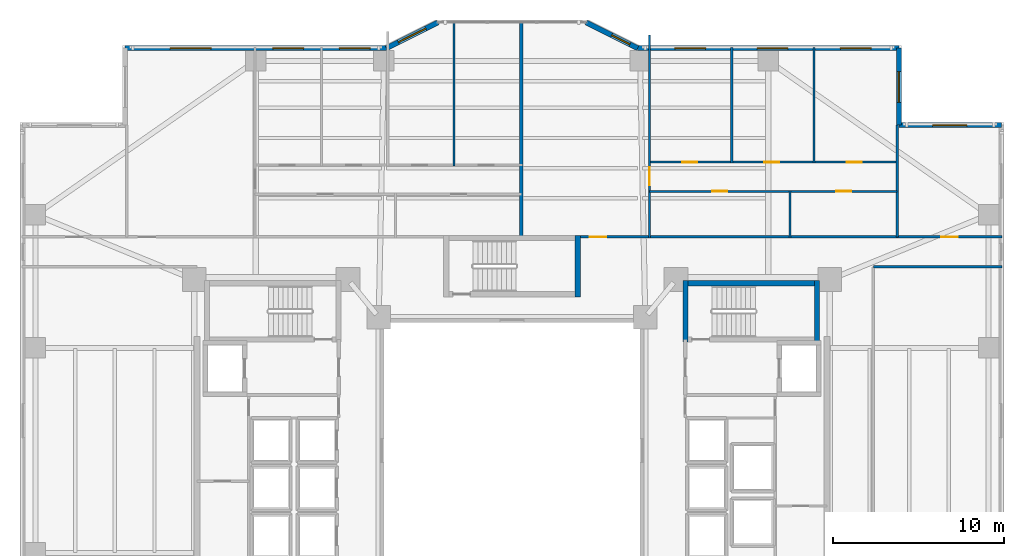
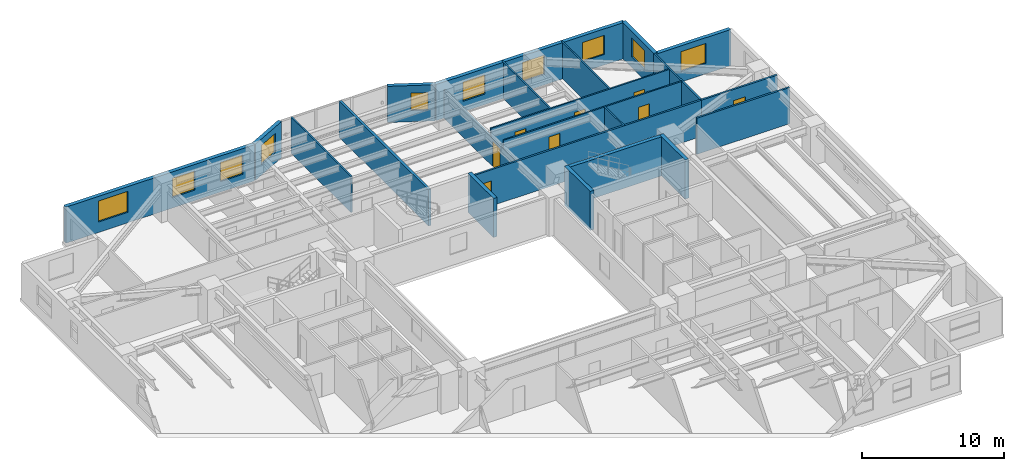
# One storey, part 14 of 20: 23 walls, 10 windows, 8 doors, 18 openings.
"""IFC4 building model written with IfcOpenShell, lengths in metres."""

from ifc_helpers import new_model, si_unit, direction, frame, frame_2d, origin, place, context, subcontext, project, spatial, rectangle, extrude, material, layer, layer_set, type_object, element, fill, save


model = new_model("IFC4")

# Units and contexts
model_context = context("Model", 3, precision=1e-05, world=origin(), true_north=direction((0.0, 1.0)))
body_context = subcontext(model_context, "Body", "Model", "MODEL_VIEW")
ifc_project = project(units=[si_unit("LENGTHUNIT", "METRE"), si_unit("AREAUNIT", "SQUARE_METRE"), si_unit("VOLUMEUNIT", "CUBIC_METRE"), si_unit("PLANEANGLEUNIT", "RADIAN"), si_unit("MASSUNIT", "GRAM", prefix="KILO")], contexts=[model_context])

# Site, building, storey
site_placement = place(None, origin())
site = spatial("IfcSite", under=ifc_project, at=site_placement, CompositionType="ELEMENT")
building_placement = place(site_placement, origin())
building = spatial("IfcBuilding", under=site, at=building_placement, Name="Tarnavaz Court Tower", CompositionType="ELEMENT")
storey_placement = place(building_placement, frame((0.0, 0.0, 34.050048828125)))
storey = spatial("IfcBuildingStorey", under=building, at=storey_placement, Name="L08", CompositionType="ELEMENT", Elevation=34.050048828125)

# Walls
ifc_material_1 = material(Name="Concrete C60/75", Category="concrete")
ifc_layer_1 = layer(ifc_material_1, 0.300048828125)
ifc_layer_set_1 = layer_set([ifc_layer_1], Name="Concrete C60/75")
wall_type_1 = type_object("IfcWallType", Name="WL-CORE-300-C60", PredefinedType="SHEAR", material=ifc_layer_set_1)
wall_1_placement = place(storey_placement, frame((10.0, 9.7900390625, 0.0), z_axis=(0.0, 0.0, 1.0), x_axis=(1.0, 0.0, 0.0)))
element("IfcWall", 1, at=wall_1_placement, inside=storey, type_object=wall_type_1, Name="L08 East Stair Core Wall 005", PredefinedType="SHEAR", context=body_context, shape_type="SweptSolid", body=[
    extrude(rectangle(XDim=8.0, YDim=0.300048828125, at=frame_2d((4.0, 0.0))), origin(), (0.0, 0.0, 1.0), 3.349853515625),
])
for number, where, z_axis, x_axis, name in (
    (2, (10.14990234375, 6.35009765625, 0.0), (0.0, 0.0, 1.0), (0.0, 1.0, 0.0), "L08 East Stair Core Wall 007"),
    (3, (17.85009765625, 6.35009765625, 0.0), (0.0, 0.0, 1.0), (0.0, 1.0, 0.0), "L08 East Stair Core Wall 008"),
):
    element("IfcWall", number, at=place(storey_placement, frame(where, z_axis=z_axis, x_axis=x_axis)), inside=storey, type_object=wall_type_1, Name=name, PredefinedType="SHEAR", context=body_context, shape_type="SweptSolid", body=[
        extrude(rectangle(XDim=3.58984375, YDim=0.300048828125, at=frame_2d((1.794921875, 0.0))), origin(), (0.0, 0.0, 1.0), 3.349853515625),
    ])
wall_2_placement = place(storey_placement, frame((3.85009765625, 9.0, 0.0), z_axis=(0.0, 0.0, 1.0), x_axis=(0.0, 1.0, 0.0)))
element("IfcWall", 4, at=wall_2_placement, inside=storey, type_object=wall_type_1, Name="L08 North Stair Core Wall 012", PredefinedType="SHEAR", context=body_context, shape_type="SweptSolid", body=[
    extrude(rectangle(XDim=3.590087890625, YDim=0.300048828125, at=frame_2d((1.794921875, 0.0))), origin(), (0.0, 0.0, 1.0), 3.349853515625),
])

# Wall, openings, windows
ifc_material_2 = material(Name="Precast Concrete C40/50", Category="concrete")
ifc_layer_2 = layer(ifc_material_2, 0.300048828125)
ifc_layer_set_2 = layer_set([ifc_layer_2], Name="Precast Concrete C40/50")
wall_type_2 = type_object("IfcWallType", Name="WL-EXT-300", PredefinedType="SOLIDWALL", material=ifc_layer_set_2)
wall_3_placement = place(storey_placement, frame((-22.64990234375, 23.550048828125, 0.0), z_axis=(0.0, 0.0, 1.0), x_axis=(1.0, 0.0, 0.0)))
wall_3 = element("IfcWall", 5, at=wall_3_placement, inside=storey, type_object=wall_type_2, Name="L08 Exterior Terracotta Facade Wall 05", PredefinedType="SOLIDWALL", context=body_context, shape_type="SweptSolid", body=[
    extrude(rectangle(XDim=15.2998046875, YDim=0.300048828125, at=frame_2d((7.64990234375, 0.0))), origin(), (0.0, 0.0, 1.0), 3.099853515625),
])
opening_1_placement = place(wall_3_placement, frame((2.637451171875, 0.0, 0.89990234375)))
opening_1 = element("IfcOpeningElement", 6, at=opening_1_placement, cuts=wall_3, Name="Opening W06", PredefinedType="OPENING", context=body_context, shape_type="SweptSolid", body=[
    extrude(rectangle(XDim=2.39990234375, YDim=1.800048828125, at=frame_2d((1.199951171875, 0.89990234375))), frame((0.0, 0.159912109375, 0.0), z_axis=(0.0, -1.0, 0.0), x_axis=(1.0, 0.0, 0.0)), (0.0, 0.0, 1.0), 0.320068359375),
])
opening_2_placement = place(wall_3_placement, frame((8.65625, 0.0, 0.89990234375)))
opening_2 = element("IfcOpeningElement", 7, at=opening_2_placement, cuts=wall_3, Name="Opening W01", PredefinedType="OPENING", context=body_context, shape_type="SweptSolid", body=[
    extrude(rectangle(XDim=1.800048828125, YDim=1.64990234375, at=frame_2d((0.89990234375, 0.824951171875))), frame((0.0, 0.159912109375, 0.0), z_axis=(0.0, -1.0, 0.0), x_axis=(1.0, 0.0, 0.0)), (0.0, 0.0, 1.0), 0.320068359375),
])
opening_3_placement = place(wall_3_placement, frame((12.5439453125, 0.0, 0.89990234375)))
opening_3 = element("IfcOpeningElement", 8, at=opening_3_placement, cuts=wall_3, Name="Opening W01", PredefinedType="OPENING", context=body_context, shape_type="SweptSolid", body=[
    extrude(rectangle(XDim=1.800048828125, YDim=1.64990234375, at=frame_2d((0.89990234375, 0.824951171875))), frame((0.0, 0.159912109375, 0.0), z_axis=(0.0, -1.0, 0.0), x_axis=(1.0, 0.0, 0.0)), (0.0, 0.0, 1.0), 0.320068359375),
])
ifc_material_3 = material(Name="Double-Glazed Solar Low-E Glass", Category="glass")
window_type_1 = type_object("IfcWindowType", Name="WN-APT-1800", PartitioningType="DOUBLE_PANEL_VERTICAL", PredefinedType="WINDOW", material=ifc_material_3)
window_1_placement = place(opening_2_placement, origin())
window_1 = element("IfcWindow", 9, at=window_1_placement, inside=storey, type_object=window_type_1, Name="L08 Flat 01 Principal Bedroom Window", OverallHeight=1.64990234375, OverallWidth=1.800048828125, PartitioningType="SINGLE_PANEL", PredefinedType="WINDOW", context=body_context, shape_type="SweptSolid", body=[
    extrude(rectangle(XDim=1.800048828125, YDim=1.64990234375, at=frame_2d((0.89990234375, 0.824951171875))), frame((0.0, 0.030029296875, 0.0), z_axis=(0.0, -1.0, 0.0), x_axis=(1.0, 0.0, 0.0)), (0.0, 0.0, 1.0), 0.06005859375),
])
fill(opening_2, window_1)
window_2_placement = place(opening_3_placement, origin())
window_2 = element("IfcWindow", 10, at=window_2_placement, inside=storey, type_object=window_type_1, Name="L08 Flat 01 Bedroom 2 Window", OverallHeight=1.64990234375, OverallWidth=1.800048828125, PartitioningType="SINGLE_PANEL", PredefinedType="WINDOW", context=body_context, shape_type="SweptSolid", body=[
    extrude(rectangle(XDim=1.800048828125, YDim=1.64990234375, at=frame_2d((0.89990234375, 0.824951171875))), frame((0.0, 0.030029296875, 0.0), z_axis=(0.0, -1.0, 0.0), x_axis=(1.0, 0.0, 0.0)), (0.0, 0.0, 1.0), 0.06005859375),
])
fill(opening_3, window_2)
window_type_2 = type_object("IfcWindowType", Name="WN-APT-2400", PartitioningType="TRIPLE_PANEL_VERTICAL", PredefinedType="WINDOW", material=ifc_material_3)
window_3_placement = place(opening_1_placement, origin())
window_3 = element("IfcWindow", 11, at=window_3_placement, inside=storey, type_object=window_type_2, Name="L08 Flat 01 Living and Dining Room Window", OverallHeight=1.800048828125, OverallWidth=2.39990234375, PartitioningType="SINGLE_PANEL", PredefinedType="WINDOW", context=body_context, shape_type="SweptSolid", body=[
    extrude(rectangle(XDim=2.39990234375, YDim=1.800048828125, at=frame_2d((1.199951171875, 0.89990234375))), frame((0.0, 0.030029296875, 0.0), z_axis=(0.0, -1.0, 0.0), x_axis=(1.0, 0.0, 0.0)), (0.0, 0.0, 1.0), 0.06005859375),
])
fill(opening_1, window_3)

# Wall, opening, window
wall_4_placement = place(storey_placement, frame((-7.35009765625, 23.550048828125, 0.0), z_axis=(0.0, 0.0, 1.0), x_axis=(0.894427191, 0.4472135955, 0.0)))
wall_4 = element("IfcWall", 12, at=wall_4_placement, inside=storey, type_object=wall_type_2, Name="L08 Exterior Terracotta Facade Wall 06", PredefinedType="SOLIDWALL", context=body_context, shape_type="SweptSolid", body=[
    extrude(rectangle(XDim=3.35400390625, YDim=0.300048828125, at=frame_2d((1.677001953125, 0.0))), origin(), (0.0, 0.0, 1.0), 3.099853515625),
])
opening_4_placement = place(wall_4_placement, frame((0.777099609375, 0.0, 0.89990234375)))
opening_4 = element("IfcOpeningElement", 13, at=opening_4_placement, cuts=wall_4, Name="Opening W01", PredefinedType="OPENING", context=body_context, shape_type="SweptSolid", body=[
    extrude(rectangle(XDim=1.800048828125, YDim=1.64990234375, at=frame_2d((0.89990234375, 0.824951171875))), frame((0.0, 0.159912109375, 0.0), z_axis=(0.0, -1.0, 0.0), x_axis=(1.0, 0.0, 0.0)), (0.0, 0.0, 1.0), 0.320068359375),
])
window_4_placement = place(opening_4_placement, origin())
window_4 = element("IfcWindow", 14, at=window_4_placement, inside=storey, type_object=window_type_1, Name="L08 Flat 01 Bedroom 3 Window", OverallHeight=1.64990234375, OverallWidth=1.800048828125, PartitioningType="SINGLE_PANEL", PredefinedType="WINDOW", context=body_context, shape_type="SweptSolid", body=[
    extrude(rectangle(XDim=1.800048828125, YDim=1.64990234375, at=frame_2d((0.89990234375, 0.824951171875))), frame((0.0, 0.030029296875, 0.0), z_axis=(0.0, -1.0, 0.0), x_axis=(1.0, 0.0, 0.0)), (0.0, 0.0, 1.0), 0.06005859375),
])
fill(opening_4, window_4)

wall_5_placement = place(storey_placement, frame((4.35009765625, 25.050048828125, 0.0), z_axis=(0.0, 0.0, 1.0), x_axis=(0.894427191, -0.4472135955, 0.0)))
wall_5 = element("IfcWall", 15, at=wall_5_placement, inside=storey, type_object=wall_type_2, Name="L08 Exterior Terracotta Facade Wall 08", PredefinedType="SOLIDWALL", context=body_context, shape_type="SweptSolid", body=[
    extrude(rectangle(XDim=3.35400390625, YDim=0.300048828125, at=frame_2d((1.677001953125, 0.0))), origin(), (0.0, 0.0, 1.0), 3.099853515625),
])
opening_5_placement = place(wall_5_placement, frame((1.65283203125, 0.0, 0.949951171875)))
opening_5 = element("IfcOpeningElement", 16, at=opening_5_placement, cuts=wall_5, Name="Opening W05", PredefinedType="OPENING", context=body_context, shape_type="SweptSolid", body=[
    extrude(rectangle(XDim=1.199951171875, YDim=1.5, at=frame_2d((0.60009765625, 0.75))), frame((0.0, 0.159912109375, 0.0), z_axis=(0.0, -1.0, 0.0), x_axis=(1.0, 0.0, 0.0)), (0.0, 0.0, 1.0), 0.320068359375),
])
window_type_3 = type_object("IfcWindowType", Name="WN-APT-1200", PartitioningType="SINGLE_PANEL", PredefinedType="WINDOW", material=ifc_material_3)
window_5_placement = place(opening_5_placement, origin())
window_5 = element("IfcWindow", 17, at=window_5_placement, inside=storey, type_object=window_type_3, Name="L08 Flat 02 Living and Dining Room Window", OverallHeight=1.5, OverallWidth=1.199951171875, PartitioningType="SINGLE_PANEL", PredefinedType="WINDOW", context=body_context, shape_type="SweptSolid", body=[
    extrude(rectangle(XDim=1.199951171875, YDim=1.5, at=frame_2d((0.60009765625, 0.75))), frame((0.0, 0.030029296875, 0.0), z_axis=(0.0, -1.0, 0.0), x_axis=(1.0, 0.0, 0.0)), (0.0, 0.0, 1.0), 0.06005859375),
])
fill(opening_5, window_5)

# Wall, openings, windows
wall_6_placement = place(storey_placement, frame((7.35009765625, 23.550048828125, 0.0), z_axis=(0.0, 0.0, 1.0), x_axis=(1.0, 0.0, 0.0)))
wall_6 = element("IfcWall", 18, at=wall_6_placement, inside=storey, type_object=wall_type_2, Name="L08 Exterior Terracotta Facade Wall 09", PredefinedType="SOLIDWALL", context=body_context, shape_type="SweptSolid", body=[
    extrude(rectangle(XDim=15.2998046875, YDim=0.300048828125, at=frame_2d((7.64990234375, 0.0))), origin(), (0.0, 0.0, 1.0), 3.099853515625),
])
opening_6_placement = place(wall_6_placement, frame((2.18505859375, 0.0, 0.89990234375)))
opening_6 = element("IfcOpeningElement", 19, at=opening_6_placement, cuts=wall_6, Name="Opening W01", PredefinedType="OPENING", context=body_context, shape_type="SweptSolid", body=[
    extrude(rectangle(XDim=1.800048828125, YDim=1.64990234375, at=frame_2d((0.89990234375, 0.824951171875))), frame((0.0, 0.159912109375, 0.0), z_axis=(0.0, -1.0, 0.0), x_axis=(1.0, 0.0, 0.0)), (0.0, 0.0, 1.0), 0.320068359375),
])
opening_7_placement = place(wall_6_placement, frame((7.000732421875, 0.0, 0.89990234375)))
opening_7 = element("IfcOpeningElement", 20, at=opening_7_placement, cuts=wall_6, Name="Opening W01", PredefinedType="OPENING", context=body_context, shape_type="SweptSolid", body=[
    extrude(rectangle(XDim=1.800048828125, YDim=1.64990234375, at=frame_2d((0.89990234375, 0.824951171875))), frame((0.0, 0.159912109375, 0.0), z_axis=(0.0, -1.0, 0.0), x_axis=(1.0, 0.0, 0.0)), (0.0, 0.0, 1.0), 0.320068359375),
])
opening_8_placement = place(wall_6_placement, frame((11.86669921875, 0.0, 0.89990234375)))
opening_8 = element("IfcOpeningElement", 21, at=opening_8_placement, cuts=wall_6, Name="Opening W01", PredefinedType="OPENING", context=body_context, shape_type="SweptSolid", body=[
    extrude(rectangle(XDim=1.800048828125, YDim=1.64990234375, at=frame_2d((0.89990234375, 0.824951171875))), frame((0.0, 0.159912109375, 0.0), z_axis=(0.0, -1.0, 0.0), x_axis=(1.0, 0.0, 0.0)), (0.0, 0.0, 1.0), 0.320068359375),
])
window_6_placement = place(opening_6_placement, origin())
window_6 = element("IfcWindow", 22, at=window_6_placement, inside=storey, type_object=window_type_1, Name="L08 Flat 02 Principal Bedroom Window", OverallHeight=1.64990234375, OverallWidth=1.800048828125, PartitioningType="SINGLE_PANEL", PredefinedType="WINDOW", context=body_context, shape_type="SweptSolid", body=[
    extrude(rectangle(XDim=1.800048828125, YDim=1.64990234375, at=frame_2d((0.89990234375, 0.824951171875))), frame((0.0, 0.030029296875, 0.0), z_axis=(0.0, -1.0, 0.0), x_axis=(1.0, 0.0, 0.0)), (0.0, 0.0, 1.0), 0.06005859375),
])
fill(opening_6, window_6)
window_7_placement = place(opening_7_placement, origin())
window_7 = element("IfcWindow", 23, at=window_7_placement, inside=storey, type_object=window_type_1, Name="L08 Flat 02 Bedroom 2 Window", OverallHeight=1.64990234375, OverallWidth=1.800048828125, PartitioningType="SINGLE_PANEL", PredefinedType="WINDOW", context=body_context, shape_type="SweptSolid", body=[
    extrude(rectangle(XDim=1.800048828125, YDim=1.64990234375, at=frame_2d((0.89990234375, 0.824951171875))), frame((0.0, 0.030029296875, 0.0), z_axis=(0.0, -1.0, 0.0), x_axis=(1.0, 0.0, 0.0)), (0.0, 0.0, 1.0), 0.06005859375),
])
fill(opening_7, window_7)
window_8_placement = place(opening_8_placement, origin())
window_8 = element("IfcWindow", 24, at=window_8_placement, inside=storey, type_object=window_type_1, Name="L08 Flat 02 Bedroom 3 Window", OverallHeight=1.64990234375, OverallWidth=1.800048828125, PartitioningType="SINGLE_PANEL", PredefinedType="WINDOW", context=body_context, shape_type="SweptSolid", body=[
    extrude(rectangle(XDim=1.800048828125, YDim=1.64990234375, at=frame_2d((0.89990234375, 0.824951171875))), frame((0.0, 0.030029296875, 0.0), z_axis=(0.0, -1.0, 0.0), x_axis=(1.0, 0.0, 0.0)), (0.0, 0.0, 1.0), 0.06005859375),
])
fill(opening_8, window_8)

# Wall, opening, window
wall_7_placement = place(storey_placement, frame((22.64990234375, 23.550048828125, 0.0), z_axis=(0.0, 0.0, 1.0), x_axis=(0.0, -1.0, 0.0)))
wall_7 = element("IfcWall", 25, at=wall_7_placement, inside=storey, type_object=wall_type_2, Name="L08 Exterior Terracotta Facade Wall 10", PredefinedType="SOLIDWALL", context=body_context, shape_type="SweptSolid", body=[
    extrude(rectangle(XDim=4.5, YDim=0.300048828125, at=frame_2d((2.25, 0.0))), origin(), (0.0, 0.0, 1.0), 3.099853515625),
])
opening_9_placement = place(wall_7_placement, frame((1.367431640625, 0.0, 0.89990234375)))
opening_9 = element("IfcOpeningElement", 26, at=opening_9_placement, cuts=wall_7, Name="Opening W01", PredefinedType="OPENING", context=body_context, shape_type="SweptSolid", body=[
    extrude(rectangle(XDim=1.800048828125, YDim=1.64990234375, at=frame_2d((0.89990234375, 0.824951171875))), frame((0.0, 0.159912109375, 0.0), z_axis=(0.0, -1.0, 0.0), x_axis=(1.0, 0.0, 0.0)), (0.0, 0.0, 1.0), 0.320068359375),
])
window_9_placement = place(opening_9_placement, origin())
window_9 = element("IfcWindow", 27, at=window_9_placement, inside=storey, type_object=window_type_1, Name="L08 Flat 02 Bedroom 3 Window", OverallHeight=1.64990234375, OverallWidth=1.800048828125, PartitioningType="SINGLE_PANEL", PredefinedType="WINDOW", context=body_context, shape_type="SweptSolid", body=[
    extrude(rectangle(XDim=1.800048828125, YDim=1.64990234375, at=frame_2d((0.89990234375, 0.824951171875))), frame((0.0, 0.030029296875, 0.0), z_axis=(0.0, -1.0, 0.0), x_axis=(1.0, 0.0, 0.0)), (0.0, 0.0, 1.0), 0.06005859375),
])
fill(opening_9, window_9)

wall_8_placement = place(storey_placement, frame((22.64990234375, 19.050048828125, 0.0), z_axis=(0.0, 0.0, 1.0), x_axis=(1.0, 0.0, 0.0)))
wall_8 = element("IfcWall", 28, at=wall_8_placement, inside=storey, type_object=wall_type_2, Name="L08 Exterior Terracotta Facade Wall 11", PredefinedType="SOLIDWALL", context=body_context, shape_type="SweptSolid", body=[
    extrude(rectangle(XDim=6.0, YDim=0.300048828125, at=frame_2d((3.0, 0.0))), origin(), (0.0, 0.0, 1.0), 3.099853515625),
])
opening_10_placement = place(wall_8_placement, frame((1.97509765625, 0.0, 0.89990234375)))
opening_10 = element("IfcOpeningElement", 29, at=opening_10_placement, cuts=wall_8, Name="Opening W08", PredefinedType="OPENING", context=body_context, shape_type="SweptSolid", body=[
    extrude(rectangle(XDim=2.0, YDim=1.699951171875, at=frame_2d((1.0, 0.85009765625))), frame((0.0, 0.159912109375, 0.0), z_axis=(0.0, -1.0, 0.0), x_axis=(1.0, 0.0, 0.0)), (0.0, 0.0, 1.0), 0.320068359375),
])
window_type_4 = type_object("IfcWindowType", Name="WN-APT-2000", PartitioningType="DOUBLE_PANEL_VERTICAL", PredefinedType="WINDOW", material=ifc_material_3)
window_10_placement = place(opening_10_placement, origin())
window_10 = element("IfcWindow", 30, at=window_10_placement, inside=storey, type_object=window_type_4, Name="L08 North-East Corner Sunroom Study Window", OverallHeight=1.699951171875, OverallWidth=2.0, PartitioningType="SINGLE_PANEL", PredefinedType="WINDOW", context=body_context, shape_type="SweptSolid", body=[
    extrude(rectangle(XDim=2.0, YDim=1.699951171875, at=frame_2d((1.0, 0.85009765625))), frame((0.0, 0.030029296875, 0.0), z_axis=(0.0, -1.0, 0.0), x_axis=(1.0, 0.0, 0.0)), (0.0, 0.0, 1.0), 0.06005859375),
])
fill(opening_10, window_10)

# Wall, opening, door
ifc_material_4 = material(Name="Gypsum Fire-Board on Acoustic Metal Stud", Category="masonry")
ifc_layer_3 = layer(ifc_material_4, 0.14990234375)
ifc_layer_set_3 = layer_set([ifc_layer_3], Name="Gypsum Fire-Board on Acoustic Metal Stud")
wall_type_3 = type_object("IfcWallType", Name="WL-FIRE-150", PredefinedType="PARTITIONING", material=ifc_layer_set_3)
wall_9_placement = place(storey_placement, frame((3.85009765625, 12.5, 0.0), z_axis=(0.0, 0.0, 1.0), x_axis=(1.0, 0.0, 0.0)))
wall_9 = element("IfcWall", 31, at=wall_9_placement, inside=storey, type_object=wall_type_3, Name="L08 NE Wing Corridor Wall 082", PredefinedType="PARTITIONING", context=body_context, shape_type="SweptSolid", body=[
    extrude(rectangle(XDim=18.699951171875, YDim=0.14990234375, at=frame_2d((9.35009765625, 0.0))), origin(), (0.0, 0.0, 1.0), 3.099853515625),
])
opening_11_placement = place(wall_9_placement, frame((0.699951171875, 0.0, 0.0)))
opening_11 = element("IfcOpeningElement", 32, at=opening_11_placement, cuts=wall_9, Name="Opening D06", PredefinedType="OPENING", context=body_context, shape_type="SweptSolid", body=[
    extrude(rectangle(XDim=0.9599609375, YDim=2.14990234375, at=frame_2d((0.47998046875, 1.074951171875))), frame((0.0, 0.0849609375, 0.0), z_axis=(0.0, -1.0, 0.0), x_axis=(1.0, 0.0, 0.0)), (0.0, 0.0, 1.0), 0.169921875),
])
ifc_material_5 = material(Name="Fire-Rated Hardwood Timber Core", Category="wood")
door_type_1 = type_object("IfcDoorType", Name="DR-FD60-950", OperationType="NOTDEFINED", PredefinedType="DOOR", material=ifc_material_5)
door_1_placement = place(opening_11_placement, origin())
door_1 = element("IfcDoor", 33, at=door_1_placement, inside=storey, type_object=door_type_1, Name="L08 Flat 02 Entrance Door", OperationType="SINGLE_SWING_LEFT", OverallHeight=2.14990234375, OverallWidth=0.9599609375, PredefinedType="DOOR", context=body_context, shape_type="SweptSolid", body=[
    extrude(rectangle(XDim=0.9599609375, YDim=2.14990234375, at=frame_2d((0.47998046875, 1.074951171875))), frame((0.0, 0.02490234375, 0.0), z_axis=(0.0, -1.0, 0.0), x_axis=(1.0, 0.0, 0.0)), (0.0, 0.0, 1.0), 0.050048828125),
])
fill(opening_11, door_1)

# Wall
wall_10_placement = place(storey_placement, frame((21.14990234375, 10.75, 0.0), z_axis=(0.0, 0.0, 1.0), x_axis=(1.0, 0.0, 0.0)))
element("IfcWall", 34, at=wall_10_placement, inside=storey, type_object=wall_type_3, Name="L08 Interior Partition 124", PredefinedType="PARTITIONING", context=body_context, shape_type="SweptSolid", body=[
    extrude(rectangle(XDim=7.530029296875, YDim=0.14990234375, at=frame_2d((3.76513671875, 0.0))), origin(), (0.0, 0.0, 1.0), 3.099853515625),
])

# Wall, opening, door
wall_11_placement = place(storey_placement, frame((22.550048828125, 12.5, 0.0), z_axis=(0.0, 0.0, 1.0), x_axis=(1.0, 0.0, 0.0)))
wall_11 = element("IfcWall", 35, at=wall_11_placement, inside=storey, type_object=wall_type_3, Name="L08 Interior Partition 130", PredefinedType="PARTITIONING", context=body_context, shape_type="SweptSolid", body=[
    extrude(rectangle(XDim=6.1298828125, YDim=0.14990234375, at=frame_2d((3.06494140625, 0.0))), origin(), (0.0, 0.0, 1.0), 3.099853515625),
])
opening_12_placement = place(wall_11_placement, frame((2.590087890625, 0.0, 0.0)))
opening_12 = element("IfcOpeningElement", 36, at=opening_12_placement, cuts=wall_11, Name="Opening D13", PredefinedType="OPENING", context=body_context, shape_type="SweptSolid", body=[
    extrude(rectangle(XDim=0.949951171875, YDim=2.14990234375, at=frame_2d((0.47509765625, 1.074951171875))), frame((0.0, 0.0849609375, 0.0), z_axis=(0.0, -1.0, 0.0), x_axis=(1.0, 0.0, 0.0)), (0.0, 0.0, 1.0), 0.169921875),
])
ifc_material_6 = material(Name="Engineered Oak Timber", Category="wood")
door_type_2 = type_object("IfcDoorType", Name="DR-INT-950", OperationType="NOTDEFINED", PredefinedType="DOOR", material=ifc_material_6)
door_2_placement = place(opening_12_placement, origin())
door_2 = element("IfcDoor", 37, at=door_2_placement, inside=storey, type_object=door_type_2, Name="L08 NE Sunroom Door", OperationType="SINGLE_SWING_RIGHT", OverallHeight=2.14990234375, OverallWidth=0.949951171875, PredefinedType="DOOR", context=body_context, shape_type="SweptSolid", body=[
    extrude(rectangle(XDim=0.949951171875, YDim=2.14990234375, at=frame_2d((0.47509765625, 1.074951171875))), frame((0.0, 0.02490234375, 0.0), z_axis=(0.0, -1.0, 0.0), x_axis=(1.0, 0.0, 0.0)), (0.0, 0.0, 1.0), 0.050048828125),
])
fill(opening_12, door_2)

# Walls
ifc_material_7 = material(Name="Autoclaved Aerated Concrete Blockwork", Category="masonry")
ifc_layer_4 = layer(ifc_material_7, 0.199951171875)
ifc_layer_set_4 = layer_set([ifc_layer_4], Name="Autoclaved Aerated Concrete Blockwork")
wall_type_4 = type_object("IfcWallType", Name="WL-FIRE-200", PredefinedType="SOLIDWALL", material=ifc_layer_set_4)
wall_12_placement = place(storey_placement, frame((0.550048828125, 12.5, 0.0), z_axis=(0.0, 0.0, 1.0), x_axis=(0.0, 1.0, 0.0)))
element("IfcWall", 38, at=wall_12_placement, inside=storey, type_object=wall_type_4, Name="L08 North Center Party Wall 087", PredefinedType="SOLIDWALL", context=body_context, shape_type="SweptSolid", body=[
    extrude(rectangle(XDim=12.580078125, YDim=0.199951171875, at=frame_2d((6.2900390625, 0.0))), origin(), (0.0, 0.0, 1.0), 3.099853515625),
])
ifc_material_8 = material(Name="Moisture-Resistant Gypsum Board Partition", Category="masonry")
ifc_layer_5 = layer(ifc_material_8, 0.1201171875)
ifc_layer_set_5 = layer_set([ifc_layer_5], Name="Moisture-Resistant Gypsum Board Partition")
wall_type_5 = type_object("IfcWallType", Name="WL-PART-120", PredefinedType="PARTITIONING", material=ifc_layer_set_5)
wall_13_placement = place(storey_placement, frame((-3.39111328125, 16.64990234375, 0.0), z_axis=(0.0, 0.0, 1.0), x_axis=(0.0, 1.0, 0.0)))
element("IfcWall", 39, at=wall_13_placement, inside=storey, type_object=wall_type_5, Name="L08 Interior Partition 095", PredefinedType="PARTITIONING", context=body_context, shape_type="SweptSolid", body=[
    extrude(rectangle(XDim=8.43017578125, YDim=0.1201171875, at=frame_2d((4.215087890625, 0.0))), origin(), (0.0, 0.0, 1.0), 3.099853515625),
])

# Wall, opening, door
wall_14_placement = place(storey_placement, frame((8.049072265625, 12.43994140625, 0.0), z_axis=(0.0, 0.0, 1.0), x_axis=(0.0, 1.0, 0.0)))
wall_14 = element("IfcWall", 40, at=wall_14_placement, inside=storey, type_object=wall_type_5, Name="L08 Interior Partition 096", PredefinedType="PARTITIONING", context=body_context, shape_type="SweptSolid", body=[
    extrude(rectangle(XDim=11.887939453125, YDim=0.1201171875, at=frame_2d((5.94384765625, 0.0))), origin(), (0.0, 0.0, 1.0), 2.43505859375),
])
opening_13_placement = place(wall_14_placement, frame((3.074951171875, 0.0, 0.0)))
opening_13 = element("IfcOpeningElement", 41, at=opening_13_placement, cuts=wall_14, Name="Opening D12", PredefinedType="OPENING", context=body_context, shape_type="SweptSolid", body=[
    extrude(rectangle(XDim=1.080078125, YDim=2.14990234375, at=frame_2d((0.5400390625, 1.074951171875))), frame((0.0, 0.070068359375, 0.0), z_axis=(0.0, -1.0, 0.0), x_axis=(1.0, 0.0, 0.0)), (0.0, 0.0, 1.0), 0.14013671875),
])
door_type_3 = type_object("IfcDoorType", Name="DR-INT-1100", OperationType="NOTDEFINED", PredefinedType="DOOR", material=ifc_material_6)
door_3_placement = place(opening_13_placement, origin())
door_3 = element("IfcDoor", 42, at=door_3_placement, inside=storey, type_object=door_type_3, Name="L08 Flat 02 Foyer Door", OperationType="SINGLE_SWING_RIGHT", OverallHeight=2.14990234375, OverallWidth=1.080078125, PredefinedType="DOOR", context=body_context, shape_type="SweptSolid", body=[
    extrude(rectangle(XDim=1.080078125, YDim=2.14990234375, at=frame_2d((0.5400390625, 1.074951171875))), frame((0.0, 0.02490234375, 0.0), z_axis=(0.0, -1.0, 0.0), x_axis=(1.0, 0.0, 0.0)), (0.0, 0.0, 1.0), 0.050048828125),
])
fill(opening_13, door_3)

wall_15_placement = place(storey_placement, frame((8.049072265625, 15.169921875, 0.0), z_axis=(0.0, 0.0, 1.0), x_axis=(1.0, 0.0, 0.0)))
wall_15 = element("IfcWall", 43, at=wall_15_placement, inside=storey, type_object=wall_type_5, Name="L08 Interior Partition 097", PredefinedType="PARTITIONING", context=body_context, shape_type="SweptSolid", body=[
    extrude(rectangle(XDim=8.23095703125, YDim=0.1201171875, at=frame_2d((4.115478515625, 0.0))), origin(), (0.0, 0.0, 1.0), 3.099853515625),
])
opening_14_placement = place(wall_15_placement, frame((3.676025390625, 0.0, 0.0)))
opening_14 = element("IfcOpeningElement", 44, at=opening_14_placement, cuts=wall_15, Name="Opening D14", PredefinedType="OPENING", context=body_context, shape_type="SweptSolid", body=[
    extrude(rectangle(XDim=0.8798828125, YDim=2.10009765625, at=frame_2d((0.43994140625, 1.050048828125))), frame((0.0, 0.070068359375, 0.0), z_axis=(0.0, -1.0, 0.0), x_axis=(1.0, 0.0, 0.0)), (0.0, 0.0, 1.0), 0.14013671875),
])
door_type_4 = type_object("IfcDoorType", Name="DR-INT-900", OperationType="NOTDEFINED", PredefinedType="DOOR", material=ifc_material_6)
door_4_placement = place(opening_14_placement, origin())
door_4 = element("IfcDoor", 45, at=door_4_placement, inside=storey, type_object=door_type_4, Name="L08 Flat 02 Kitchen Door", OperationType="SINGLE_SWING_LEFT", OverallHeight=2.10009765625, OverallWidth=0.8798828125, PredefinedType="DOOR", context=body_context, shape_type="SweptSolid", body=[
    extrude(rectangle(XDim=0.8798828125, YDim=2.10009765625, at=frame_2d((0.43994140625, 1.050048828125))), frame((0.0, 0.02490234375, 0.0), z_axis=(0.0, -1.0, 0.0), x_axis=(1.0, 0.0, 0.0)), (0.0, 0.0, 1.0), 0.050048828125),
])
fill(opening_14, door_4)

wall_16_placement = place(storey_placement, frame((16.280029296875, 15.169921875, 0.0), z_axis=(0.0, 0.0, 1.0), x_axis=(1.0, 0.0, 0.0)))
wall_16 = element("IfcWall", 46, at=wall_16_placement, inside=storey, type_object=wall_type_5, Name="L08 Interior Partition 098", PredefinedType="PARTITIONING", context=body_context, shape_type="SweptSolid", body=[
    extrude(rectangle(XDim=6.27001953125, YDim=0.1201171875, at=frame_2d((3.135009765625, 0.0))), origin(), (0.0, 0.0, 1.0), 3.099853515625),
])
opening_15_placement = place(wall_16_placement, frame((2.695068359375, 0.0, 0.0)))
opening_15 = element("IfcOpeningElement", 47, at=opening_15_placement, cuts=wall_16, Name="Opening D14", PredefinedType="OPENING", context=body_context, shape_type="SweptSolid", body=[
    extrude(rectangle(XDim=0.8798828125, YDim=2.10009765625, at=frame_2d((0.43994140625, 1.050048828125))), frame((0.0, 0.070068359375, 0.0), z_axis=(0.0, -1.0, 0.0), x_axis=(1.0, 0.0, 0.0)), (0.0, 0.0, 1.0), 0.14013671875),
])
door_5_placement = place(opening_15_placement, origin())
door_5 = element("IfcDoor", 48, at=door_5_placement, inside=storey, type_object=door_type_4, Name="L08 Flat 02 Bathroom Door", OperationType="SINGLE_SWING_RIGHT", OverallHeight=2.10009765625, OverallWidth=0.8798828125, PredefinedType="DOOR", context=body_context, shape_type="SweptSolid", body=[
    extrude(rectangle(XDim=0.8798828125, YDim=2.10009765625, at=frame_2d((0.43994140625, 1.050048828125))), frame((0.0, 0.02490234375, 0.0), z_axis=(0.0, -1.0, 0.0), x_axis=(1.0, 0.0, 0.0)), (0.0, 0.0, 1.0), 0.050048828125),
])
fill(opening_15, door_5)

# Wall, openings, doors
wall_17_placement = place(storey_placement, frame((7.989013671875, 16.8798828125, 0.0), z_axis=(0.0, 0.0, 1.0), x_axis=(1.0, 0.0, 0.0)))
wall_17 = element("IfcWall", 49, at=wall_17_placement, inside=storey, type_object=wall_type_5, Name="L08 Interior Partition 099", PredefinedType="PARTITIONING", context=body_context, shape_type="SweptSolid", body=[
    extrude(rectangle(XDim=14.62109375, YDim=0.1201171875, at=frame_2d((7.310546875, 0.0))), origin(), (0.0, 0.0, 1.0), 3.099853515625),
])
opening_16_placement = place(wall_17_placement, frame((1.967041015625, 0.0, 0.0)))
opening_16 = element("IfcOpeningElement", 50, at=opening_16_placement, cuts=wall_17, Name="Opening D14", PredefinedType="OPENING", context=body_context, shape_type="SweptSolid", body=[
    extrude(rectangle(XDim=0.8798828125, YDim=2.10009765625, at=frame_2d((0.43994140625, 1.050048828125))), frame((0.0, 0.070068359375, 0.0), z_axis=(0.0, -1.0, 0.0), x_axis=(1.0, 0.0, 0.0)), (0.0, 0.0, 1.0), 0.14013671875),
])
opening_17_placement = place(wall_17_placement, frame((6.781005859375, 0.0, 0.0)))
opening_17 = element("IfcOpeningElement", 51, at=opening_17_placement, cuts=wall_17, Name="Opening D14", PredefinedType="OPENING", context=body_context, shape_type="SweptSolid", body=[
    extrude(rectangle(XDim=0.8798828125, YDim=2.10009765625, at=frame_2d((0.43994140625, 1.050048828125))), frame((0.0, 0.070068359375, 0.0), z_axis=(0.0, -1.0, 0.0), x_axis=(1.0, 0.0, 0.0)), (0.0, 0.0, 1.0), 0.14013671875),
])
opening_18_placement = place(wall_17_placement, frame((11.593994140625, 0.0, 0.0)))
opening_18 = element("IfcOpeningElement", 52, at=opening_18_placement, cuts=wall_17, Name="Opening D14", PredefinedType="OPENING", context=body_context, shape_type="SweptSolid", body=[
    extrude(rectangle(XDim=0.8798828125, YDim=2.10009765625, at=frame_2d((0.43994140625, 1.050048828125))), frame((0.0, 0.070068359375, 0.0), z_axis=(0.0, -1.0, 0.0), x_axis=(1.0, 0.0, 0.0)), (0.0, 0.0, 1.0), 0.14013671875),
])
door_6_placement = place(opening_16_placement, origin())
door_6 = element("IfcDoor", 53, at=door_6_placement, inside=storey, type_object=door_type_4, Name="L08 Flat 02 Bedroom 1 Door", OperationType="SINGLE_SWING_LEFT", OverallHeight=2.10009765625, OverallWidth=0.8798828125, PredefinedType="DOOR", context=body_context, shape_type="SweptSolid", body=[
    extrude(rectangle(XDim=0.8798828125, YDim=2.10009765625, at=frame_2d((0.43994140625, 1.050048828125))), frame((0.0, 0.02490234375, 0.0), z_axis=(0.0, -1.0, 0.0), x_axis=(1.0, 0.0, 0.0)), (0.0, 0.0, 1.0), 0.050048828125),
])
fill(opening_16, door_6)
door_7_placement = place(opening_17_placement, origin())
door_7 = element("IfcDoor", 54, at=door_7_placement, inside=storey, type_object=door_type_4, Name="L08 Flat 02 Bedroom 2 Door", OperationType="SINGLE_SWING_RIGHT", OverallHeight=2.10009765625, OverallWidth=0.8798828125, PredefinedType="DOOR", context=body_context, shape_type="SweptSolid", body=[
    extrude(rectangle(XDim=0.8798828125, YDim=2.10009765625, at=frame_2d((0.43994140625, 1.050048828125))), frame((0.0, 0.02490234375, 0.0), z_axis=(0.0, -1.0, 0.0), x_axis=(1.0, 0.0, 0.0)), (0.0, 0.0, 1.0), 0.050048828125),
])
fill(opening_17, door_7)
door_8_placement = place(opening_18_placement, origin())
door_8 = element("IfcDoor", 55, at=door_8_placement, inside=storey, type_object=door_type_4, Name="L08 Flat 02 Bedroom 3 Door", OperationType="SINGLE_SWING_LEFT", OverallHeight=2.10009765625, OverallWidth=0.8798828125, PredefinedType="DOOR", context=body_context, shape_type="SweptSolid", body=[
    extrude(rectangle(XDim=0.8798828125, YDim=2.10009765625, at=frame_2d((0.43994140625, 1.050048828125))), frame((0.0, 0.02490234375, 0.0), z_axis=(0.0, -1.0, 0.0), x_axis=(1.0, 0.0, 0.0)), (0.0, 0.0, 1.0), 0.050048828125),
])
fill(opening_18, door_8)

# Walls
wall_18_placement = place(storey_placement, frame((16.280029296875, 12.43994140625, 0.0), z_axis=(0.0, 0.0, 1.0), x_axis=(0.0, 1.0, 0.0)))
element("IfcWall", 56, at=wall_18_placement, inside=storey, type_object=wall_type_5, Name="L08 Interior Partition 100", PredefinedType="PARTITIONING", context=body_context, shape_type="SweptSolid", body=[
    extrude(rectangle(XDim=2.7900390625, YDim=0.1201171875, at=frame_2d((1.39501953125, 0.0))), origin(), (0.0, 0.0, 1.0), 3.099853515625),
])
for number, where, z_axis, x_axis, name in (
    (57, (12.863037109375, 16.820068359375, 0.0), (0.0, 0.0, 1.0), (0.0, 1.0, 0.0), "L08 Interior Partition 101"),
    (58, (17.676025390625, 16.820068359375, 0.0), (0.0, 0.0, 1.0), (0.0, 1.0, 0.0), "L08 Interior Partition 102"),
):
    element("IfcWall", number, at=place(storey_placement, frame(where, z_axis=z_axis, x_axis=x_axis)), inside=storey, type_object=wall_type_5, Name=name, PredefinedType="PARTITIONING", context=body_context, shape_type="SweptSolid", body=[
        extrude(rectangle(XDim=6.780029296875, YDim=0.1201171875, at=frame_2d((3.39013671875, 0.0))), origin(), (0.0, 0.0, 1.0), 3.099853515625),
    ])
ifc_material_9 = material(Name="Gypsum Plasterboard Acoustic Partition", Category="masonry")
ifc_layer_6 = layer(ifc_material_9, 0.139892578125)
ifc_layer_set_6 = layer_set([ifc_layer_6], Name="Gypsum Plasterboard Acoustic Partition")
wall_type_6 = type_object("IfcWallType", Name="WL-PART-150", PredefinedType="PARTITIONING", material=ifc_layer_set_6)
wall_19_placement = place(storey_placement, frame((22.550048828125, 12.5, 0.0), z_axis=(0.0, 0.0, 1.0), x_axis=(0.0, 1.0, 0.0)))
element("IfcWall", 59, at=wall_19_placement, inside=storey, type_object=wall_type_6, Name="L08 Interior Partition 128", PredefinedType="PARTITIONING", context=body_context, shape_type="SweptSolid", body=[
    extrude(rectangle(XDim=6.550048828125, YDim=0.139892578125, at=frame_2d((3.27490234375, 0.0))), origin(), (0.0, 0.0, 1.0), 3.099853515625),
])

save(model, "model.ifc")
